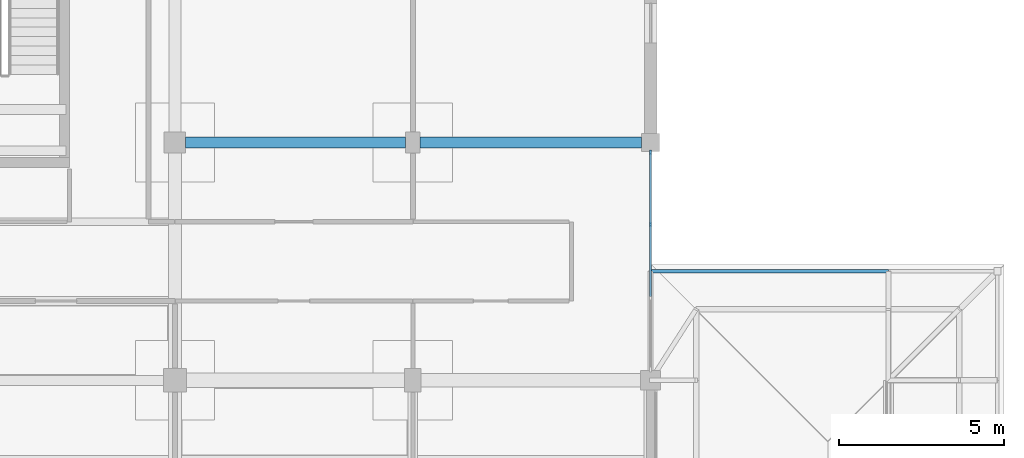
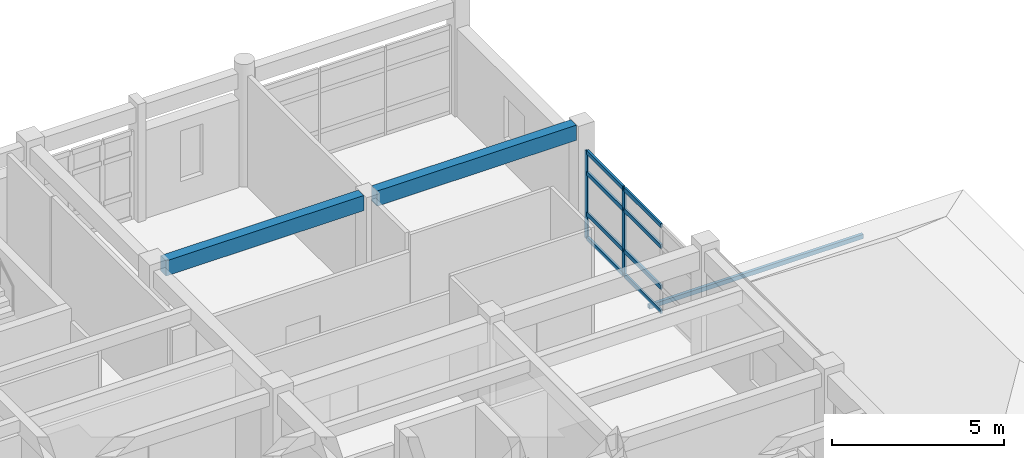
# One storey, part 20 of 55: 11 members, 2 beams, 1 element without a shape of its own.
"""IFC4 building model written with IfcOpenShell, lengths in metres."""

from ifc_helpers import new_model, si_unit, direction, frame, origin, origin_2d, place, context, subcontext, project, spatial, rectangle, hollow_rectangle, extrude, material, material_profile, profile_set, type_object, element, aggregate, save


model = new_model("IFC4")

# Units and contexts
model_context = context("Model", 3, precision=1e-05, world=origin(), true_north=direction((0.0, 1.0)))
body_context = subcontext(model_context, "Body", "Model", "MODEL_VIEW")
ifc_project = project(units=[si_unit("LENGTHUNIT", "METRE"), si_unit("AREAUNIT", "SQUARE_METRE"), si_unit("VOLUMEUNIT", "CUBIC_METRE"), si_unit("PLANEANGLEUNIT", "RADIAN"), si_unit("MASSUNIT", "GRAM", prefix="KILO")], contexts=[model_context])

# Site, building, storey
site_placement = place(None, origin())
site = spatial("IfcSite", under=ifc_project, at=site_placement, CompositionType="ELEMENT")
building_placement = place(site_placement, origin())
building = spatial("IfcBuilding", under=site, at=building_placement, Name="Steenspoor Specialist Clinic", CompositionType="ELEMENT")
storey_placement = place(building_placement, frame((0.0, 0.0, 13.199951171875)))
storey = spatial("IfcBuildingStorey", under=building, at=storey_placement, Name="L03", CompositionType="ELEMENT", Elevation=13.199951171875)

# Curtain wall, members
ifc_material_1 = material(Name="Thermally broken aluminium and low-emissivity glass", Category="aluminium")
curtain_wall_type = type_object("IfcCurtainWallType", Name="CW-TYP-660X355", PredefinedType="USERDEFINED", material=ifc_material_1)
curtain_wall_placement = place(storey_placement, origin())
curtain_wall = element("IfcCurtainWall", 1, at=curtain_wall_placement, inside=storey, type_object=curtain_wall_type, Name="Unitised Curtain Wall CW-V6-L03-201", ObjectType="UNITISED GLAZING", PredefinedType="USERDEFINED")
ifc_material_2 = material(Name="Thermally broken aluminium 6063-T6", Category="aluminium")
ifc_material_profile_1 = material_profile(ifc_material_2, rectangle(XDim=0.06494140625, YDim=0.14990234375, at=origin_2d()), Name="CWM-65X150")
ifc_profile_set_1 = profile_set([ifc_material_profile_1], Name="Thermally broken aluminium 6063-T6")
member_type_1 = type_object("IfcMemberType", Name="CW-MULL-65X150", PredefinedType="MULLION", material=ifc_profile_set_1)
member_1_placement = place(storey_placement, frame((146.800048828125, 100.842529296875, 0.0), z_axis=(0.0, 0.0, 1.0), x_axis=(1.0, 0.0, 0.0)))
member_1 = element("IfcMember", 2, at=member_1_placement, type_object=member_type_1, Name="CW-09 mullion 1", PredefinedType="MULLION", context=body_context, shape_type="SweptSolid", body=[
    extrude(rectangle(XDim=0.06494140625, YDim=0.14990234375, at=origin_2d()), origin(), (0.0, 0.0, 1.0), 3.130126953125),
])
member_2_placement = place(storey_placement, frame((146.800048828125, 98.666748046875, 0.0), z_axis=(0.0, 0.0, 1.0), x_axis=(1.0, 0.0, 0.0)))
member_2 = element("IfcMember", 3, at=member_2_placement, type_object=member_type_1, Name="CW-09 mullion 2", PredefinedType="MULLION", context=body_context, shape_type="SweptSolid", body=[
    extrude(rectangle(XDim=0.06494140625, YDim=0.14990234375, at=origin_2d()), origin(), (0.0, 0.0, 1.0), 3.130126953125),
])
ifc_material_profile_2 = material_profile(ifc_material_2, rectangle(XDim=0.070068359375, YDim=0.14501953125, at=origin_2d()), Name="CWT-70X145")
ifc_profile_set_2 = profile_set([ifc_material_profile_2], Name="Thermally broken aluminium 6063-T6")
member_type_2 = type_object("IfcMemberType", Name="CW-TRAN-70X145", PredefinedType="USERDEFINED", material=ifc_profile_set_2)
member_3_placement = place(storey_placement, frame((146.800048828125, 100.81005859375, 0.03515625), z_axis=(0.0, -1.0, 0.0), x_axis=(1.0, 0.0, 0.0)))
member_3 = element("IfcMember", 4, at=member_3_placement, type_object=member_type_2, Name="CW-09 transom 1.1", ObjectType="TRANSOM", PredefinedType="USERDEFINED", context=body_context, shape_type="SweptSolid", body=[
    extrude(rectangle(XDim=0.070068359375, YDim=0.14501953125, at=origin_2d()), origin(), (0.0, 0.0, 1.0), 2.11083984375),
])
member_4_placement = place(storey_placement, frame((146.800048828125, 100.81005859375, 0.900146484375), z_axis=(0.0, -1.0, 0.0), x_axis=(1.0, 0.0, 0.0)))
member_4 = element("IfcMember", 5, at=member_4_placement, type_object=member_type_2, Name="CW-09 transom 1.2", ObjectType="TRANSOM", PredefinedType="USERDEFINED", context=body_context, shape_type="SweptSolid", body=[
    extrude(rectangle(XDim=0.070068359375, YDim=0.14501953125, at=origin_2d()), origin(), (0.0, 0.0, 1.0), 2.11083984375),
])
member_5_placement = place(storey_placement, frame((146.800048828125, 100.81005859375, 2.35009765625), z_axis=(0.0, -1.0, 0.0), x_axis=(1.0, 0.0, 0.0)))
member_5 = element("IfcMember", 6, at=member_5_placement, type_object=member_type_2, Name="CW-09 transom 1.3", ObjectType="TRANSOM", PredefinedType="USERDEFINED", context=body_context, shape_type="SweptSolid", body=[
    extrude(rectangle(XDim=0.070068359375, YDim=0.14501953125, at=origin_2d()), origin(), (0.0, 0.0, 1.0), 2.11083984375),
])
member_6_placement = place(storey_placement, frame((146.800048828125, 100.81005859375, 3.094970703125), z_axis=(0.0, -1.0, 0.0), x_axis=(1.0, 0.0, 0.0)))
member_6 = element("IfcMember", 7, at=member_6_placement, type_object=member_type_2, Name="CW-09 transom 1.4", ObjectType="TRANSOM", PredefinedType="USERDEFINED", context=body_context, shape_type="SweptSolid", body=[
    extrude(rectangle(XDim=0.070068359375, YDim=0.14501953125, at=origin_2d()), origin(), (0.0, 0.0, 1.0), 2.11083984375),
])
member_7_placement = place(storey_placement, frame((146.800048828125, 98.63427734375, 0.03515625), z_axis=(0.0, -1.0, 0.0), x_axis=(1.0, 0.0, 0.0)))
member_7 = element("IfcMember", 8, at=member_7_placement, type_object=member_type_2, Name="CW-09 transom 2.1", ObjectType="TRANSOM", PredefinedType="USERDEFINED", context=body_context, shape_type="SweptSolid", body=[
    extrude(rectangle(XDim=0.070068359375, YDim=0.14501953125, at=origin_2d()), origin(), (0.0, 0.0, 1.0), 2.1435546875),
])
member_8_placement = place(storey_placement, frame((146.800048828125, 98.63427734375, 0.900146484375), z_axis=(0.0, -1.0, 0.0), x_axis=(1.0, 0.0, 0.0)))
member_8 = element("IfcMember", 9, at=member_8_placement, type_object=member_type_2, Name="CW-09 transom 2.2", ObjectType="TRANSOM", PredefinedType="USERDEFINED", context=body_context, shape_type="SweptSolid", body=[
    extrude(rectangle(XDim=0.070068359375, YDim=0.14501953125, at=origin_2d()), origin(), (0.0, 0.0, 1.0), 2.1435546875),
])
member_9_placement = place(storey_placement, frame((146.800048828125, 98.63427734375, 2.35009765625), z_axis=(0.0, -1.0, 0.0), x_axis=(1.0, 0.0, 0.0)))
member_9 = element("IfcMember", 10, at=member_9_placement, type_object=member_type_2, Name="CW-09 transom 2.3", ObjectType="TRANSOM", PredefinedType="USERDEFINED", context=body_context, shape_type="SweptSolid", body=[
    extrude(rectangle(XDim=0.070068359375, YDim=0.14501953125, at=origin_2d()), origin(), (0.0, 0.0, 1.0), 2.1435546875),
])
member_10_placement = place(storey_placement, frame((146.800048828125, 98.63427734375, 3.094970703125), z_axis=(0.0, -1.0, 0.0), x_axis=(1.0, 0.0, 0.0)))
member_10 = element("IfcMember", 11, at=member_10_placement, type_object=member_type_2, Name="CW-09 transom 2.4", ObjectType="TRANSOM", PredefinedType="USERDEFINED", context=body_context, shape_type="SweptSolid", body=[
    extrude(rectangle(XDim=0.070068359375, YDim=0.14501953125, at=origin_2d()), origin(), (0.0, 0.0, 1.0), 2.1435546875),
])
aggregate(curtain_wall, [member_1, member_2, member_3, member_4, member_5, member_6, member_7, member_8, member_9, member_10])

# Member
ifc_material_3 = material(Name="Steel A500 Grade C", Category="steel")
ifc_material_profile_3 = material_profile(ifc_material_3, hollow_rectangle(XDim=0.1015625, YDim=0.15234375, WallThickness=0.005859375, at=origin_2d()), Name="HSS152X102X6.4")
ifc_profile_set_3 = profile_set([ifc_material_profile_3], Name="Steel A500 Grade C")
member_type_3 = type_object("IfcMemberType", Name="MEM-PURLIN-H152", PredefinedType="PURLIN", material=ifc_profile_set_3)
member_11_placement = place(storey_placement, frame((146.800048828125, 97.25, -0.2431640625), z_axis=(1.0, 0.0, 0.0), x_axis=(0.0, 1.0, 0.0)))
element("IfcMember", 12, at=member_11_placement, inside=storey, type_object=member_type_3, Name="ROOF TRUSS Eave Fascia 480", PredefinedType="PURLIN", context=body_context, shape_type="SweptSolid", body=[
    extrude(hollow_rectangle(XDim=0.1015625, YDim=0.15234375, WallThickness=0.005859375, at=origin_2d()), origin(), (0.0, 0.0, 1.0), 7.199951171875),
])

# Beams
ifc_material_4 = material(Name="Concrete C35/45", Category="concrete")
ifc_material_profile_4 = material_profile(ifc_material_4, rectangle(XDim=0.320068359375, YDim=0.5400390625, at=origin_2d()), Name="RC-SP-320X540")
ifc_profile_set_4 = profile_set([ifc_material_profile_4], Name="Concrete C35/45")
beam_type = type_object("IfcBeamType", Name="SP-RC-320X540", PredefinedType="SPANDREL", material=ifc_profile_set_4)
beam_1_placement = place(storey_placement, frame((132.719970703125, 101.14990234375, 3.76513671875), z_axis=(1.0, 0.0, 0.0), x_axis=(0.0, 1.0, 0.0)))
element("IfcBeam", 13, at=beam_1_placement, inside=storey, type_object=beam_type, Name="BMTIER-V6-L03-X02-05", PredefinedType="SPANDREL", context=body_context, shape_type="SweptSolid", body=[
    extrude(rectangle(XDim=0.320068359375, YDim=0.5400390625, at=origin_2d()), origin(), (0.0, 0.0, 1.0), 6.659912109375),
])
beam_2_placement = place(storey_placement, frame((139.820068359375, 101.14990234375, 3.76513671875), z_axis=(1.0, 0.0, 0.0), x_axis=(0.0, 1.0, 0.0)))
element("IfcBeam", 14, at=beam_2_placement, inside=storey, type_object=beam_type, Name="BMTIER-V6-L03-X03-05", PredefinedType="SPANDREL", context=body_context, shape_type="SweptSolid", body=[
    extrude(rectangle(XDim=0.320068359375, YDim=0.5400390625, at=origin_2d()), origin(), (0.0, 0.0, 1.0), 6.7099609375),
])

save(model, "model.ifc")
